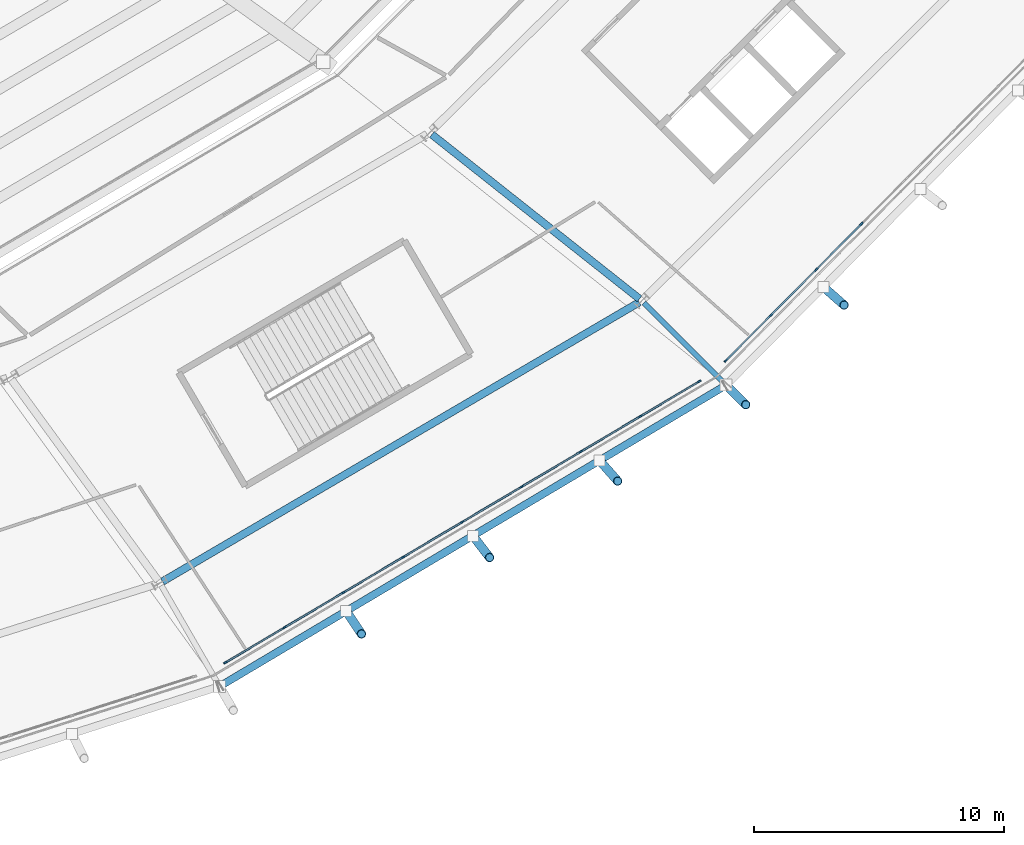
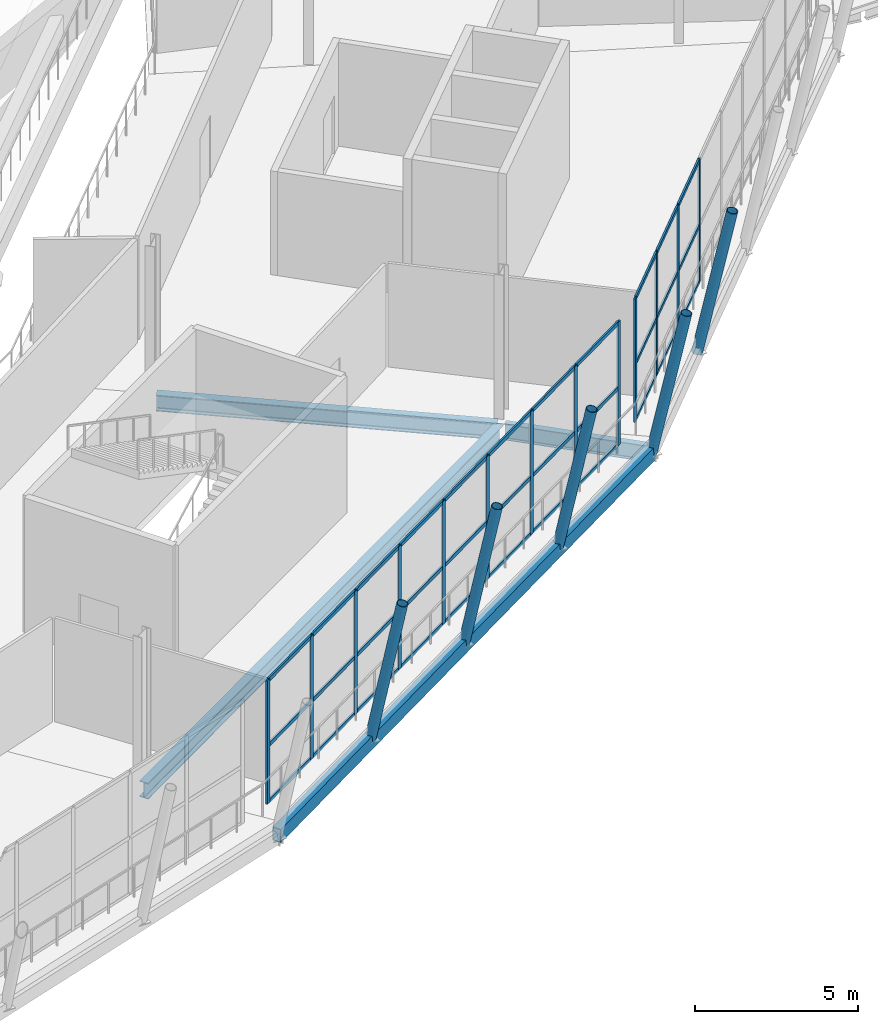
# One storey, part 37 of 126: 51 members, 4 beams, 2 elements without a shape of their own.
"""IFC4 building model written with IfcOpenShell, lengths in metres."""

from ifc_helpers import new_model, si_unit, direction, frame, origin, origin_2d, place, context, subcontext, project, spatial, rectangle, hollow_rectangle, hollow_circle, i_section, extrude, material, material_profile, profile_set, type_object, element, aggregate, save


model = new_model("IFC4")

# Units and contexts
model_context = context("Model", 3, precision=1e-05, world=origin(), true_north=direction((0.0, 1.0)))
body_context = subcontext(model_context, "Body", "Model", "MODEL_VIEW")
ifc_project = project(units=[si_unit("LENGTHUNIT", "METRE"), si_unit("AREAUNIT", "SQUARE_METRE"), si_unit("VOLUMEUNIT", "CUBIC_METRE"), si_unit("PLANEANGLEUNIT", "RADIAN"), si_unit("MASSUNIT", "GRAM", prefix="KILO")], contexts=[model_context])

# Site, building, storey
site_placement = place(None, origin())
site = spatial("IfcSite", under=ifc_project, at=site_placement, CompositionType="ELEMENT")
building_placement = place(site_placement, origin())
building = spatial("IfcBuilding", under=site, at=building_placement, Name="Zlatoyarsky Gate Stadium", CompositionType="ELEMENT")
storey_placement = place(building_placement, frame((0.0, 0.0, 20.800048828125)))
storey = spatial("IfcBuildingStorey", under=building, at=storey_placement, Name="L04", CompositionType="ELEMENT", Elevation=20.800048828125)

# Curtain wall, members
ifc_material_1 = material(Name="Thermally broken anodised aluminium curtain wall", Category="aluminium")
curtain_wall_type = type_object("IfcCurtainWallType", Name="UNITISED MEDIA RING GLAZING L04", PredefinedType="USERDEFINED", material=ifc_material_1)
curtain_wall_1_placement = place(storey_placement, origin())
curtain_wall_1 = element("IfcCurtainWall", 1, at=curtain_wall_1_placement, inside=storey, type_object=curtain_wall_type, Name="Curtain wall CW-L04-20", ObjectType="UNITISED GLAZING", PredefinedType="USERDEFINED")
ifc_material_2 = material(Name="Anodised aluminium 6063-T6", Category="aluminium")
ifc_material_profile_1 = material_profile(ifc_material_2, rectangle(XDim=0.06494140625, YDim=0.159912109375, at=origin_2d()), Name="ALU 65X160")
ifc_profile_set_1 = profile_set([ifc_material_profile_1], Name="Anodised aluminium 6063-T6")
member_type_1 = type_object("IfcMemberType", Name="ALUMINIUM MULLION 65X160", PredefinedType="MULLION", material=ifc_profile_set_1)
member_1_placement = place(storey_placement, frame((160.121826171875, 15.336181640625, 0.0), z_axis=(0.0, 0.0, 1.0), x_axis=(-0.510330476285, 0.859978374713, 0.0)))
member_1 = element("IfcMember", 2, at=member_1_placement, type_object=member_type_1, Name="CW-UG4 mullion 1", PredefinedType="MULLION", context=body_context, shape_type="SweptSolid", body=[
    extrude(rectangle(XDim=0.06494140625, YDim=0.159912109375, at=origin_2d()), origin(), (0.0, 0.0, 1.0), 4.619873046875),
])
member_2_placement = place(storey_placement, frame((162.467041015625, 16.727783203125, 0.0), z_axis=(0.0, 0.0, 1.0), x_axis=(-0.510330476285, 0.859978374713, 0.0)))
member_2 = element("IfcMember", 3, at=member_2_placement, type_object=member_type_1, Name="CW-UG4 mullion 2", PredefinedType="MULLION", context=body_context, shape_type="SweptSolid", body=[
    extrude(rectangle(XDim=0.06494140625, YDim=0.159912109375, at=origin_2d()), origin(), (0.0, 0.0, 1.0), 4.619873046875),
])
member_3_placement = place(storey_placement, frame((164.84033203125, 18.13623046875, 0.0), z_axis=(0.0, 0.0, 1.0), x_axis=(-0.510330476285, 0.859978374713, 0.0)))
member_3 = element("IfcMember", 4, at=member_3_placement, type_object=member_type_1, Name="CW-UG4 mullion 3", PredefinedType="MULLION", context=body_context, shape_type="SweptSolid", body=[
    extrude(rectangle(XDim=0.06494140625, YDim=0.159912109375, at=origin_2d()), origin(), (0.0, 0.0, 1.0), 4.619873046875),
])
member_4_placement = place(storey_placement, frame((167.21337890625, 19.54443359375, 0.0), z_axis=(0.0, 0.0, 1.0), x_axis=(-0.510330476285, 0.859978374713, 0.0)))
member_4 = element("IfcMember", 5, at=member_4_placement, type_object=member_type_1, Name="CW-UG4 mullion 4", PredefinedType="MULLION", context=body_context, shape_type="SweptSolid", body=[
    extrude(rectangle(XDim=0.06494140625, YDim=0.159912109375, at=origin_2d()), origin(), (0.0, 0.0, 1.0), 4.619873046875),
])
member_5_placement = place(storey_placement, frame((169.586669921875, 20.952880859375, 0.0), z_axis=(0.0, 0.0, 1.0), x_axis=(-0.510330476285, 0.859978374713, 0.0)))
member_5 = element("IfcMember", 6, at=member_5_placement, type_object=member_type_1, Name="CW-UG4 mullion 5", PredefinedType="MULLION", context=body_context, shape_type="SweptSolid", body=[
    extrude(rectangle(XDim=0.06494140625, YDim=0.159912109375, at=origin_2d()), origin(), (0.0, 0.0, 1.0), 4.619873046875),
])
member_6_placement = place(storey_placement, frame((171.9599609375, 22.361083984375, 0.0), z_axis=(0.0, 0.0, 1.0), x_axis=(-0.510330476285, 0.859978374713, 0.0)))
member_6 = element("IfcMember", 7, at=member_6_placement, type_object=member_type_1, Name="CW-UG4 mullion 6", PredefinedType="MULLION", context=body_context, shape_type="SweptSolid", body=[
    extrude(rectangle(XDim=0.06494140625, YDim=0.159912109375, at=origin_2d()), origin(), (0.0, 0.0, 1.0), 4.619873046875),
])
member_7_placement = place(storey_placement, frame((174.333251953125, 23.76953125, 0.0), z_axis=(0.0, 0.0, 1.0), x_axis=(-0.510330476285, 0.859978374713, 0.0)))
member_7 = element("IfcMember", 8, at=member_7_placement, type_object=member_type_1, Name="CW-UG4 mullion 7", PredefinedType="MULLION", context=body_context, shape_type="SweptSolid", body=[
    extrude(rectangle(XDim=0.06494140625, YDim=0.159912109375, at=origin_2d()), origin(), (0.0, 0.0, 1.0), 4.619873046875),
])
member_8_placement = place(storey_placement, frame((176.706298828125, 25.177734375, 0.0), z_axis=(0.0, 0.0, 1.0), x_axis=(-0.510330476285, 0.859978374713, 0.0)))
member_8 = element("IfcMember", 9, at=member_8_placement, type_object=member_type_1, Name="CW-UG4 mullion 8", PredefinedType="MULLION", context=body_context, shape_type="SweptSolid", body=[
    extrude(rectangle(XDim=0.06494140625, YDim=0.159912109375, at=origin_2d()), origin(), (0.0, 0.0, 1.0), 4.619873046875),
])
member_9_placement = place(storey_placement, frame((179.0517578125, 26.569580078125, 0.0), z_axis=(0.0, 0.0, 1.0), x_axis=(-0.510330476285, 0.859978374713, 0.0)))
member_9 = element("IfcMember", 10, at=member_9_placement, type_object=member_type_1, Name="CW-UG4 mullion 9", PredefinedType="MULLION", context=body_context, shape_type="SweptSolid", body=[
    extrude(rectangle(XDim=0.06494140625, YDim=0.159912109375, at=origin_2d()), origin(), (0.0, 0.0, 1.0), 4.619873046875),
])

curtain_wall_2_placement = place(storey_placement, origin())
curtain_wall_2 = element("IfcCurtainWall", 11, at=curtain_wall_2_placement, inside=storey, type_object=curtain_wall_type, Name="Curtain wall CW-L04-21", ObjectType="UNITISED GLAZING", PredefinedType="USERDEFINED")
member_10_placement = place(storey_placement, frame((180.119384765625, 27.40234375, 0.0), z_axis=(0.0, 0.0, 1.0), x_axis=(-0.709870536386, 0.704332181269, 0.0)))
member_10 = element("IfcMember", 12, at=member_10_placement, type_object=member_type_1, Name="CW-UG4 mullion 1", PredefinedType="MULLION", context=body_context, shape_type="SweptSolid", body=[
    extrude(rectangle(XDim=0.06494140625, YDim=0.159912109375, at=origin_2d()), origin(), (0.0, 0.0, 1.0), 4.619873046875),
])
member_11_placement = place(storey_placement, frame((181.91015625, 29.207275390625, 0.0), z_axis=(0.0, 0.0, 1.0), x_axis=(-0.709870536386, 0.704332181269, 0.0)))
member_11 = element("IfcMember", 13, at=member_11_placement, type_object=member_type_1, Name="CW-UG4 mullion 2", PredefinedType="MULLION", context=body_context, shape_type="SweptSolid", body=[
    extrude(rectangle(XDim=0.06494140625, YDim=0.159912109375, at=origin_2d()), origin(), (0.0, 0.0, 1.0), 4.619873046875),
])
member_12_placement = place(storey_placement, frame((183.72412109375, 31.035400390625, 0.0), z_axis=(0.0, 0.0, 1.0), x_axis=(-0.709870536386, 0.704332181269, 0.0)))
member_12 = element("IfcMember", 14, at=member_12_placement, type_object=member_type_1, Name="CW-UG4 mullion 3", PredefinedType="MULLION", context=body_context, shape_type="SweptSolid", body=[
    extrude(rectangle(XDim=0.06494140625, YDim=0.159912109375, at=origin_2d()), origin(), (0.0, 0.0, 1.0), 4.619873046875),
])
member_13_placement = place(storey_placement, frame((185.537841796875, 32.863525390625, 0.0), z_axis=(0.0, 0.0, 1.0), x_axis=(-0.709870536386, 0.704332181269, 0.0)))
member_13 = element("IfcMember", 15, at=member_13_placement, type_object=member_type_1, Name="CW-UG4 mullion 4", PredefinedType="MULLION", context=body_context, shape_type="SweptSolid", body=[
    extrude(rectangle(XDim=0.06494140625, YDim=0.159912109375, at=origin_2d()), origin(), (0.0, 0.0, 1.0), 4.619873046875),
])

# Member
ifc_material_profile_2 = material_profile(ifc_material_2, rectangle(XDim=0.06494140625, YDim=0.139892578125, at=origin_2d()), Name="ALU 65X140")
ifc_profile_set_2 = profile_set([ifc_material_profile_2], Name="Anodised aluminium 6063-T6")
member_type_2 = type_object("IfcMemberType", Name="ALUMINIUM TRANSOM 65X140", PredefinedType="USERDEFINED", material=ifc_profile_set_2)
member_14_placement = place(storey_placement, frame((160.149658203125, 15.352783203125, 0.032470703125), z_axis=(0.859999398438, 0.5102950467, 0.0), x_axis=(-0.5102950467, 0.859999398438, 0.0)))
member_14 = element("IfcMember", 16, at=member_14_placement, type_object=member_type_2, Name="CW-UG4 transom 1.1", ObjectType="TRANSOM", PredefinedType="USERDEFINED", context=body_context, shape_type="SweptSolid", body=[
    extrude(rectangle(XDim=0.06494140625, YDim=0.139892578125, at=origin_2d()), origin(), (0.0, 0.0, 1.0), 2.661865234375),
])

member_15_placement = place(storey_placement, frame((160.149658203125, 15.352783203125, 2.14990234375), z_axis=(0.859999398438, 0.5102950467, 0.0), x_axis=(-0.5102950467, 0.859999398438, 0.0)))
member_15 = element("IfcMember", 17, at=member_15_placement, type_object=member_type_2, Name="CW-UG4 transom 1.2", ObjectType="TRANSOM", PredefinedType="USERDEFINED", context=body_context, shape_type="SweptSolid", body=[
    extrude(rectangle(XDim=0.06494140625, YDim=0.139892578125, at=origin_2d()), origin(), (0.0, 0.0, 1.0), 2.661865234375),
])

member_16_placement = place(storey_placement, frame((160.149658203125, 15.352783203125, 4.58740234375), z_axis=(0.859999398438, 0.5102950467, 0.0), x_axis=(-0.5102950467, 0.859999398438, 0.0)))
member_16 = element("IfcMember", 18, at=member_16_placement, type_object=member_type_2, Name="CW-UG4 transom 1.3", ObjectType="TRANSOM", PredefinedType="USERDEFINED", context=body_context, shape_type="SweptSolid", body=[
    extrude(rectangle(XDim=0.06494140625, YDim=0.139892578125, at=origin_2d()), origin(), (0.0, 0.0, 1.0), 2.661865234375),
])

member_17_placement = place(storey_placement, frame((162.494873046875, 16.744384765625, 0.032470703125), z_axis=(0.859969067163, 0.510346160486, 0.0), x_axis=(-0.510346160486, 0.859969067163, 0.0)))
member_17 = element("IfcMember", 19, at=member_17_placement, type_object=member_type_2, Name="CW-UG4 transom 2.1", ObjectType="TRANSOM", PredefinedType="USERDEFINED", context=body_context, shape_type="SweptSolid", body=[
    extrude(rectangle(XDim=0.06494140625, YDim=0.139892578125, at=origin_2d()), origin(), (0.0, 0.0, 1.0), 2.69482421875),
])

member_18_placement = place(storey_placement, frame((162.494873046875, 16.744384765625, 2.14990234375), z_axis=(0.859969067163, 0.510346160486, 0.0), x_axis=(-0.510346160486, 0.859969067163, 0.0)))
member_18 = element("IfcMember", 20, at=member_18_placement, type_object=member_type_2, Name="CW-UG4 transom 2.2", ObjectType="TRANSOM", PredefinedType="USERDEFINED", context=body_context, shape_type="SweptSolid", body=[
    extrude(rectangle(XDim=0.06494140625, YDim=0.139892578125, at=origin_2d()), origin(), (0.0, 0.0, 1.0), 2.69482421875),
])

member_19_placement = place(storey_placement, frame((162.494873046875, 16.744384765625, 4.58740234375), z_axis=(0.859969067163, 0.510346160486, 0.0), x_axis=(-0.510346160486, 0.859969067163, 0.0)))
member_19 = element("IfcMember", 21, at=member_19_placement, type_object=member_type_2, Name="CW-UG4 transom 2.3", ObjectType="TRANSOM", PredefinedType="USERDEFINED", context=body_context, shape_type="SweptSolid", body=[
    extrude(rectangle(XDim=0.06494140625, YDim=0.139892578125, at=origin_2d()), origin(), (0.0, 0.0, 1.0), 2.69482421875),
])

member_20_placement = place(storey_placement, frame((164.8681640625, 18.15283203125, 0.032470703125), z_axis=(0.860008828809, 0.510279153377, 0.0), x_axis=(-0.510279153377, 0.860008828809, 0.0)))
member_20 = element("IfcMember", 22, at=member_20_placement, type_object=member_type_2, Name="CW-UG4 transom 3.1", ObjectType="TRANSOM", PredefinedType="USERDEFINED", context=body_context, shape_type="SweptSolid", body=[
    extrude(rectangle(XDim=0.06494140625, YDim=0.139892578125, at=origin_2d()), origin(), (0.0, 0.0, 1.0), 2.694580078125),
])

member_21_placement = place(storey_placement, frame((164.8681640625, 18.15283203125, 2.14990234375), z_axis=(0.860008828809, 0.510279153377, 0.0), x_axis=(-0.510279153377, 0.860008828809, 0.0)))
member_21 = element("IfcMember", 23, at=member_21_placement, type_object=member_type_2, Name="CW-UG4 transom 3.2", ObjectType="TRANSOM", PredefinedType="USERDEFINED", context=body_context, shape_type="SweptSolid", body=[
    extrude(rectangle(XDim=0.06494140625, YDim=0.139892578125, at=origin_2d()), origin(), (0.0, 0.0, 1.0), 2.694580078125),
])

member_22_placement = place(storey_placement, frame((164.8681640625, 18.15283203125, 4.58740234375), z_axis=(0.860008828809, 0.510279153377, 0.0), x_axis=(-0.510279153377, 0.860008828809, 0.0)))
member_22 = element("IfcMember", 24, at=member_22_placement, type_object=member_type_2, Name="CW-UG4 transom 3.3", ObjectType="TRANSOM", PredefinedType="USERDEFINED", context=body_context, shape_type="SweptSolid", body=[
    extrude(rectangle(XDim=0.06494140625, YDim=0.139892578125, at=origin_2d()), origin(), (0.0, 0.0, 1.0), 2.694580078125),
])

member_23_placement = place(storey_placement, frame((167.241455078125, 19.56103515625, 0.032470703125), z_axis=(0.859969067163, 0.510346160486, 0.0), x_axis=(-0.510346160486, 0.859969067163, 0.0)))
member_23 = element("IfcMember", 25, at=member_23_placement, type_object=member_type_2, Name="CW-UG4 transom 4.1", ObjectType="TRANSOM", PredefinedType="USERDEFINED", context=body_context, shape_type="SweptSolid", body=[
    extrude(rectangle(XDim=0.06494140625, YDim=0.139892578125, at=origin_2d()), origin(), (0.0, 0.0, 1.0), 2.69482421875),
])

member_24_placement = place(storey_placement, frame((167.241455078125, 19.56103515625, 2.14990234375), z_axis=(0.859969067163, 0.510346160486, 0.0), x_axis=(-0.510346160486, 0.859969067163, 0.0)))
member_24 = element("IfcMember", 26, at=member_24_placement, type_object=member_type_2, Name="CW-UG4 transom 4.2", ObjectType="TRANSOM", PredefinedType="USERDEFINED", context=body_context, shape_type="SweptSolid", body=[
    extrude(rectangle(XDim=0.06494140625, YDim=0.139892578125, at=origin_2d()), origin(), (0.0, 0.0, 1.0), 2.69482421875),
])

member_25_placement = place(storey_placement, frame((167.241455078125, 19.56103515625, 4.58740234375), z_axis=(0.859969067163, 0.510346160486, 0.0), x_axis=(-0.510346160486, 0.859969067163, 0.0)))
member_25 = element("IfcMember", 27, at=member_25_placement, type_object=member_type_2, Name="CW-UG4 transom 4.3", ObjectType="TRANSOM", PredefinedType="USERDEFINED", context=body_context, shape_type="SweptSolid", body=[
    extrude(rectangle(XDim=0.06494140625, YDim=0.139892578125, at=origin_2d()), origin(), (0.0, 0.0, 1.0), 2.69482421875),
])

member_26_placement = place(storey_placement, frame((169.61474609375, 20.969482421875, 0.032470703125), z_axis=(0.859985234265, 0.510318916803, 0.0), x_axis=(-0.510318916803, 0.859985234265, 0.0)))
member_26 = element("IfcMember", 28, at=member_26_placement, type_object=member_type_2, Name="CW-UG4 transom 5.1", ObjectType="TRANSOM", PredefinedType="USERDEFINED", context=body_context, shape_type="SweptSolid", body=[
    extrude(rectangle(XDim=0.06494140625, YDim=0.139892578125, at=origin_2d()), origin(), (0.0, 0.0, 1.0), 2.6943359375),
])

member_27_placement = place(storey_placement, frame((169.61474609375, 20.969482421875, 2.14990234375), z_axis=(0.859985234265, 0.510318916803, 0.0), x_axis=(-0.510318916803, 0.859985234265, 0.0)))
member_27 = element("IfcMember", 29, at=member_27_placement, type_object=member_type_2, Name="CW-UG4 transom 5.2", ObjectType="TRANSOM", PredefinedType="USERDEFINED", context=body_context, shape_type="SweptSolid", body=[
    extrude(rectangle(XDim=0.06494140625, YDim=0.139892578125, at=origin_2d()), origin(), (0.0, 0.0, 1.0), 2.6943359375),
])

member_28_placement = place(storey_placement, frame((169.61474609375, 20.969482421875, 4.58740234375), z_axis=(0.859985234265, 0.510318916803, 0.0), x_axis=(-0.510318916803, 0.859985234265, 0.0)))
member_28 = element("IfcMember", 30, at=member_28_placement, type_object=member_type_2, Name="CW-UG4 transom 5.3", ObjectType="TRANSOM", PredefinedType="USERDEFINED", context=body_context, shape_type="SweptSolid", body=[
    extrude(rectangle(XDim=0.06494140625, YDim=0.139892578125, at=origin_2d()), origin(), (0.0, 0.0, 1.0), 2.6943359375),
])

member_29_placement = place(storey_placement, frame((171.98779296875, 22.377685546875, 0.032470703125), z_axis=(0.859969067163, 0.510346160486, 0.0), x_axis=(-0.510346160486, 0.859969067163, 0.0)))
member_29 = element("IfcMember", 31, at=member_29_placement, type_object=member_type_2, Name="CW-UG4 transom 6.1", ObjectType="TRANSOM", PredefinedType="USERDEFINED", context=body_context, shape_type="SweptSolid", body=[
    extrude(rectangle(XDim=0.06494140625, YDim=0.139892578125, at=origin_2d()), origin(), (0.0, 0.0, 1.0), 2.69482421875),
])

member_30_placement = place(storey_placement, frame((171.98779296875, 22.377685546875, 2.14990234375), z_axis=(0.859969067163, 0.510346160486, 0.0), x_axis=(-0.510346160486, 0.859969067163, 0.0)))
member_30 = element("IfcMember", 32, at=member_30_placement, type_object=member_type_2, Name="CW-UG4 transom 6.2", ObjectType="TRANSOM", PredefinedType="USERDEFINED", context=body_context, shape_type="SweptSolid", body=[
    extrude(rectangle(XDim=0.06494140625, YDim=0.139892578125, at=origin_2d()), origin(), (0.0, 0.0, 1.0), 2.69482421875),
])

member_31_placement = place(storey_placement, frame((171.98779296875, 22.377685546875, 4.58740234375), z_axis=(0.859969067163, 0.510346160486, 0.0), x_axis=(-0.510346160486, 0.859969067163, 0.0)))
member_31 = element("IfcMember", 33, at=member_31_placement, type_object=member_type_2, Name="CW-UG4 transom 6.3", ObjectType="TRANSOM", PredefinedType="USERDEFINED", context=body_context, shape_type="SweptSolid", body=[
    extrude(rectangle(XDim=0.06494140625, YDim=0.139892578125, at=origin_2d()), origin(), (0.0, 0.0, 1.0), 2.69482421875),
])

member_32_placement = place(storey_placement, frame((174.361083984375, 23.7861328125, 0.032470703125), z_axis=(0.860008828809, 0.510279153377, 0.0), x_axis=(-0.510279153377, 0.860008828809, 0.0)))
member_32 = element("IfcMember", 34, at=member_32_placement, type_object=member_type_2, Name="CW-UG4 transom 7.1", ObjectType="TRANSOM", PredefinedType="USERDEFINED", context=body_context, shape_type="SweptSolid", body=[
    extrude(rectangle(XDim=0.06494140625, YDim=0.139892578125, at=origin_2d()), origin(), (0.0, 0.0, 1.0), 2.694580078125),
])

member_33_placement = place(storey_placement, frame((174.361083984375, 23.7861328125, 2.14990234375), z_axis=(0.860008828809, 0.510279153377, 0.0), x_axis=(-0.510279153377, 0.860008828809, 0.0)))
member_33 = element("IfcMember", 35, at=member_33_placement, type_object=member_type_2, Name="CW-UG4 transom 7.2", ObjectType="TRANSOM", PredefinedType="USERDEFINED", context=body_context, shape_type="SweptSolid", body=[
    extrude(rectangle(XDim=0.06494140625, YDim=0.139892578125, at=origin_2d()), origin(), (0.0, 0.0, 1.0), 2.694580078125),
])

member_34_placement = place(storey_placement, frame((174.361083984375, 23.7861328125, 4.58740234375), z_axis=(0.860008828809, 0.510279153377, 0.0), x_axis=(-0.510279153377, 0.860008828809, 0.0)))
member_34 = element("IfcMember", 36, at=member_34_placement, type_object=member_type_2, Name="CW-UG4 transom 7.3", ObjectType="TRANSOM", PredefinedType="USERDEFINED", context=body_context, shape_type="SweptSolid", body=[
    extrude(rectangle(XDim=0.06494140625, YDim=0.139892578125, at=origin_2d()), origin(), (0.0, 0.0, 1.0), 2.694580078125),
])

member_35_placement = place(storey_placement, frame((176.734375, 25.1943359375, 0.032470703125), z_axis=(0.859959148773, 0.510362873299, 0.0), x_axis=(-0.510362873299, 0.859959148773, 0.0)))
member_35 = element("IfcMember", 37, at=member_35_placement, type_object=member_type_2, Name="CW-UG4 transom 8.1", ObjectType="TRANSOM", PredefinedType="USERDEFINED", context=body_context, shape_type="SweptSolid", body=[
    extrude(rectangle(XDim=0.06494140625, YDim=0.139892578125, at=origin_2d()), origin(), (0.0, 0.0, 1.0), 2.662109375),
])

member_36_placement = place(storey_placement, frame((176.734375, 25.1943359375, 2.14990234375), z_axis=(0.859959148773, 0.510362873299, 0.0), x_axis=(-0.510362873299, 0.859959148773, 0.0)))
member_36 = element("IfcMember", 38, at=member_36_placement, type_object=member_type_2, Name="CW-UG4 transom 8.2", ObjectType="TRANSOM", PredefinedType="USERDEFINED", context=body_context, shape_type="SweptSolid", body=[
    extrude(rectangle(XDim=0.06494140625, YDim=0.139892578125, at=origin_2d()), origin(), (0.0, 0.0, 1.0), 2.662109375),
])

member_37_placement = place(storey_placement, frame((176.734375, 25.1943359375, 4.58740234375), z_axis=(0.859959148773, 0.510362873299, 0.0), x_axis=(-0.510362873299, 0.859959148773, 0.0)))
member_37 = element("IfcMember", 39, at=member_37_placement, type_object=member_type_2, Name="CW-UG4 transom 8.3", ObjectType="TRANSOM", PredefinedType="USERDEFINED", context=body_context, shape_type="SweptSolid", body=[
    extrude(rectangle(XDim=0.06494140625, YDim=0.139892578125, at=origin_2d()), origin(), (0.0, 0.0, 1.0), 2.662109375),
])

aggregate(curtain_wall_1, [member_1, member_2, member_3, member_4, member_5, member_6, member_7, member_8, member_9, member_14, member_15, member_16, member_17, member_18, member_19, member_20, member_21, member_22, member_23, member_24, member_25, member_26, member_27, member_28, member_29, member_30, member_31, member_32, member_33, member_34, member_35, member_36, member_37])

member_38_placement = place(storey_placement, frame((180.14208984375, 27.42529296875, 0.032470703125), z_axis=(0.704293097674, 0.709909312919, 0.0), x_axis=(-0.709909312919, 0.704293097674, 0.0)))
member_38 = element("IfcMember", 40, at=member_38_placement, type_object=member_type_2, Name="CW-UG4 transom 1.1", ObjectType="TRANSOM", PredefinedType="USERDEFINED", context=body_context, shape_type="SweptSolid", body=[
    extrude(rectangle(XDim=0.06494140625, YDim=0.139892578125, at=origin_2d()), origin(), (0.0, 0.0, 1.0), 2.477783203125),
])

member_39_placement = place(storey_placement, frame((180.14208984375, 27.42529296875, 2.14990234375), z_axis=(0.704293097674, 0.709909312919, 0.0), x_axis=(-0.709909312919, 0.704293097674, 0.0)))
member_39 = element("IfcMember", 41, at=member_39_placement, type_object=member_type_2, Name="CW-UG4 transom 1.2", ObjectType="TRANSOM", PredefinedType="USERDEFINED", context=body_context, shape_type="SweptSolid", body=[
    extrude(rectangle(XDim=0.06494140625, YDim=0.139892578125, at=origin_2d()), origin(), (0.0, 0.0, 1.0), 2.477783203125),
])

member_40_placement = place(storey_placement, frame((180.14208984375, 27.42529296875, 4.58740234375), z_axis=(0.704293097674, 0.709909312919, 0.0), x_axis=(-0.709909312919, 0.704293097674, 0.0)))
member_40 = element("IfcMember", 42, at=member_40_placement, type_object=member_type_2, Name="CW-UG4 transom 1.3", ObjectType="TRANSOM", PredefinedType="USERDEFINED", context=body_context, shape_type="SweptSolid", body=[
    extrude(rectangle(XDim=0.06494140625, YDim=0.139892578125, at=origin_2d()), origin(), (0.0, 0.0, 1.0), 2.477783203125),
])

member_41_placement = place(storey_placement, frame((181.93310546875, 29.230224609375, 0.032470703125), z_axis=(0.70432954627, 0.709873150818, 0.0), x_axis=(-0.709873150818, 0.70432954627, 0.0)))
member_41 = element("IfcMember", 43, at=member_41_placement, type_object=member_type_2, Name="CW-UG4 transom 2.1", ObjectType="TRANSOM", PredefinedType="USERDEFINED", context=body_context, shape_type="SweptSolid", body=[
    extrude(rectangle(XDim=0.06494140625, YDim=0.139892578125, at=origin_2d()), origin(), (0.0, 0.0, 1.0), 2.51025390625),
])

member_42_placement = place(storey_placement, frame((181.93310546875, 29.230224609375, 2.14990234375), z_axis=(0.70432954627, 0.709873150818, 0.0), x_axis=(-0.709873150818, 0.70432954627, 0.0)))
member_42 = element("IfcMember", 44, at=member_42_placement, type_object=member_type_2, Name="CW-UG4 transom 2.2", ObjectType="TRANSOM", PredefinedType="USERDEFINED", context=body_context, shape_type="SweptSolid", body=[
    extrude(rectangle(XDim=0.06494140625, YDim=0.139892578125, at=origin_2d()), origin(), (0.0, 0.0, 1.0), 2.51025390625),
])

member_43_placement = place(storey_placement, frame((181.93310546875, 29.230224609375, 4.58740234375), z_axis=(0.70432954627, 0.709873150818, 0.0), x_axis=(-0.709873150818, 0.70432954627, 0.0)))
member_43 = element("IfcMember", 45, at=member_43_placement, type_object=member_type_2, Name="CW-UG4 transom 2.3", ObjectType="TRANSOM", PredefinedType="USERDEFINED", context=body_context, shape_type="SweptSolid", body=[
    extrude(rectangle(XDim=0.06494140625, YDim=0.139892578125, at=origin_2d()), origin(), (0.0, 0.0, 1.0), 2.51025390625),
])

member_44_placement = place(storey_placement, frame((183.746826171875, 31.058349609375, 0.032470703125), z_axis=(0.70432954627, 0.709873150818, 0.0), x_axis=(-0.709873150818, 0.70432954627, 0.0)))
member_44 = element("IfcMember", 46, at=member_44_placement, type_object=member_type_2, Name="CW-UG4 transom 3.1", ObjectType="TRANSOM", PredefinedType="USERDEFINED", context=body_context, shape_type="SweptSolid", body=[
    extrude(rectangle(XDim=0.06494140625, YDim=0.139892578125, at=origin_2d()), origin(), (0.0, 0.0, 1.0), 2.51025390625),
])

member_45_placement = place(storey_placement, frame((183.746826171875, 31.058349609375, 2.14990234375), z_axis=(0.70432954627, 0.709873150818, 0.0), x_axis=(-0.709873150818, 0.70432954627, 0.0)))
member_45 = element("IfcMember", 47, at=member_45_placement, type_object=member_type_2, Name="CW-UG4 transom 3.2", ObjectType="TRANSOM", PredefinedType="USERDEFINED", context=body_context, shape_type="SweptSolid", body=[
    extrude(rectangle(XDim=0.06494140625, YDim=0.139892578125, at=origin_2d()), origin(), (0.0, 0.0, 1.0), 2.51025390625),
])

member_46_placement = place(storey_placement, frame((183.746826171875, 31.058349609375, 4.58740234375), z_axis=(0.70432954627, 0.709873150818, 0.0), x_axis=(-0.709873150818, 0.70432954627, 0.0)))
member_46 = element("IfcMember", 48, at=member_46_placement, type_object=member_type_2, Name="CW-UG4 transom 3.3", ObjectType="TRANSOM", PredefinedType="USERDEFINED", context=body_context, shape_type="SweptSolid", body=[
    extrude(rectangle(XDim=0.06494140625, YDim=0.139892578125, at=origin_2d()), origin(), (0.0, 0.0, 1.0), 2.51025390625),
])

aggregate(curtain_wall_2, [member_10, member_11, member_12, member_13, member_38, member_39, member_40, member_41, member_42, member_43, member_44, member_45, member_46])

# Beam
ifc_material_3 = material(Name="Steel S355", Category="steel")
ifc_material_profile_3 = material_profile(ifc_material_3, i_section(OverallWidth=0.219970703125, OverallDepth=0.60009765625, WebThickness=0.011962890625, FlangeThickness=0.01904296875, FilletRadius=0.02392578125, at=origin_2d()), Name="IPE 600")
ifc_profile_set_3 = profile_set([ifc_material_profile_3], Name="Steel S355")
beam_type_1 = type_object("IfcBeamType", Name="STEEL CANTILEVER FLOOR BEAM IPE 600", PredefinedType="BEAM", material=ifc_profile_set_3)
beam_1_placement = place(storey_placement, frame((176.845703125, 29.71044921875, -0.60009765625), z_axis=(0.707133034989, -0.70708052641, 0.0), x_axis=(0.70708052641, 0.707133034989, 0.0)))
element("IfcBeam", 49, at=beam_1_placement, inside=storey, type_object=beam_type_1, Name="Beam B-IPE600 BM-L04-OUT-21", PredefinedType="BEAM", context=body_context, shape_type="SweptSolid", body=[
    extrude(i_section(OverallWidth=0.219970703125, OverallDepth=0.60009765625, WebThickness=0.011962890625, FlangeThickness=0.01904296875, FilletRadius=0.02392578125, at=origin_2d()), origin(), (0.0, 0.0, 1.0), 4.649658203125),
])

# Members
ifc_material_profile_4 = material_profile(ifc_material_3, hollow_circle(Radius=0.177734375, WallThickness=0.02001953125, at=origin_2d()), Name="CHS 355.6X20")
ifc_profile_set_4 = profile_set([ifc_material_profile_4], Name="Steel S355")
member_type_3 = type_object("IfcMemberType", Name="STEEL LEANING RIB RING STRUT CHS 355.6X20", PredefinedType="STRUT", material=ifc_profile_set_4)
member_47_placement = place(storey_placement, frame((180.133544921875, 26.4228515625, -0.60009765625), z_axis=(0.141204793351, -0.141204793351, 0.979858363576), x_axis=(0.707106781187, 0.707106781187, 0.0)))
element("IfcMember", 50, at=member_47_placement, inside=storey, type_object=member_type_3, Name="Leaning ring strut 21 L04 to L05", PredefinedType="STRUT", context=body_context, shape_type="SweptSolid", body=[
    extrude(hollow_circle(Radius=0.177734375, WallThickness=0.02001953125, at=origin_2d()), origin(), (0.0, 0.0, 1.0), 5.5517578125),
])
member_48_placement = place(storey_placement, frame((164.947021484375, 17.391845703125, -0.550048828125), z_axis=(0.110187619691, -0.164995513557, 0.980119976826), x_axis=(0.831606623216, 0.555365126941, 0.0)))
element("IfcMember", 51, at=member_48_placement, inside=storey, type_object=member_type_3, Name="Outward-leaning bowl louvre fin rib L04 20-1", PredefinedType="STRUT", context=body_context, shape_type="SweptSolid", body=[
    extrude(hollow_circle(Radius=0.177734375, WallThickness=0.02001953125, at=origin_2d()), origin(), (0.0, 0.0, 1.0), 5.55029296875),
])
member_49_placement = place(storey_placement, frame((170.00927734375, 20.402099609375, -0.550048828125), z_axis=(0.120534539078, -0.157090817171, 0.980200948811), x_axis=(0.793366717572, 0.608743995001, 0.0)))
element("IfcMember", 52, at=member_49_placement, inside=storey, type_object=member_type_3, Name="Outward-leaning bowl louvre fin rib L04 20-2", PredefinedType="STRUT", context=body_context, shape_type="SweptSolid", body=[
    extrude(hollow_circle(Radius=0.177734375, WallThickness=0.02001953125, at=origin_2d()), origin(), (0.0, 0.0, 1.0), 5.5498046875),
])
for number, where, z_axis, x_axis, name in (
    (53, (175.0712890625, 23.41259765625, -0.550048828125), (0.130904210433, -0.149158661821, 0.980110086314), (0.751601020667, 0.659617999854, 0.0), "Outward-leaning bowl louvre fin rib L04 20-3"),
    (54, (184.017822265625, 30.345947265625, -0.550048828125), (0.149158661821, -0.130904210433, 0.980110086314), (0.659617999854, 0.751601020667, 0.0), "Outward-leaning bowl louvre fin rib L04 21-1"),
):
    element("IfcMember", number, at=place(storey_placement, frame(where, z_axis=z_axis, x_axis=x_axis)), inside=storey, type_object=member_type_3, Name=name, PredefinedType="STRUT", context=body_context, shape_type="SweptSolid", body=[
        extrude(hollow_circle(Radius=0.177734375, WallThickness=0.02001953125, at=origin_2d()), origin(), (0.0, 0.0, 1.0), 5.55029296875),
    ])

# Beams
ifc_material_profile_5 = material_profile(ifc_material_3, hollow_rectangle(XDim=0.300048828125, YDim=0.5, WallThickness=0.02001953125, at=origin_2d()), Name="RHS 500X300X20")
ifc_profile_set_5 = profile_set([ifc_material_profile_5], Name="Steel S355")
beam_type_2 = type_object("IfcBeamType", Name="STEEL LOUVRE CARRIER SPANDREL RHS 500X300X20", PredefinedType="SPANDREL", material=ifc_profile_set_5)
beam_2_placement = place(storey_placement, frame((159.902099609375, 14.391845703125, -0.550048828125), z_axis=(0.859506923216, 0.51112410327, 0.0), x_axis=(-0.51112410327, 0.859506923216, 0.0)))
element("IfcBeam", 55, at=beam_2_placement, inside=storey, type_object=beam_type_2, Name="Beam SP-RHS500 BM-L04-SPD-20", PredefinedType="SPANDREL", context=body_context, shape_type="SweptSolid", body=[
    extrude(hollow_rectangle(XDim=0.300048828125, YDim=0.5, WallThickness=0.02001953125, at=origin_2d()), origin(), (0.0, 0.0, 1.0), 23.518310546875),
])
ifc_material_profile_6 = material_profile(ifc_material_3, i_section(OverallWidth=0.300048828125, OverallDepth=0.60009765625, WebThickness=0.015380859375, FlangeThickness=0.030029296875, FilletRadius=0.027099609375, at=origin_2d()), Name="HEB 600")
ifc_profile_set_6 = profile_set([ifc_material_profile_6], Name="Steel S355")
beam_type_3 = type_object("IfcBeamType", Name="STEEL PRIMARY GIRDER HEB 600", PredefinedType="BEAM", material=ifc_profile_set_6)
beam_3_placement = place(storey_placement, frame((157.603515625, 18.572998046875, -0.60009765625), z_axis=(0.862854775092, 0.505451913738, 0.0), x_axis=(-0.505451913738, 0.862854775092, 0.0)))
element("IfcBeam", 56, at=beam_3_placement, inside=storey, type_object=beam_type_3, Name="Beam G-HEB600 BM-L04-CRC-20", PredefinedType="BEAM", context=body_context, shape_type="SweptSolid", body=[
    extrude(i_section(OverallWidth=0.300048828125, OverallDepth=0.60009765625, WebThickness=0.015380859375, FlangeThickness=0.030029296875, FilletRadius=0.027099609375, at=origin_2d()), origin(), (0.0, 0.0, 1.0), 22.08251953125),
])
beam_4_placement = place(storey_placement, frame((168.36962890625, 36.4384765625, -0.60009765625), z_axis=(0.78404348542, -0.620705898933, 0.0), x_axis=(0.620705898933, 0.78404348542, 0.0)))
element("IfcBeam", 57, at=beam_4_placement, inside=storey, type_object=beam_type_3, Name="Beam G-HEB600 BM-L04-RBC-21", PredefinedType="BEAM", context=body_context, shape_type="SweptSolid", body=[
    extrude(i_section(OverallWidth=0.300048828125, OverallDepth=0.60009765625, WebThickness=0.015380859375, FlangeThickness=0.030029296875, FilletRadius=0.027099609375, at=origin_2d()), origin(), (0.0, 0.0, 1.0), 10.58251953125),
])

save(model, "model.ifc")
